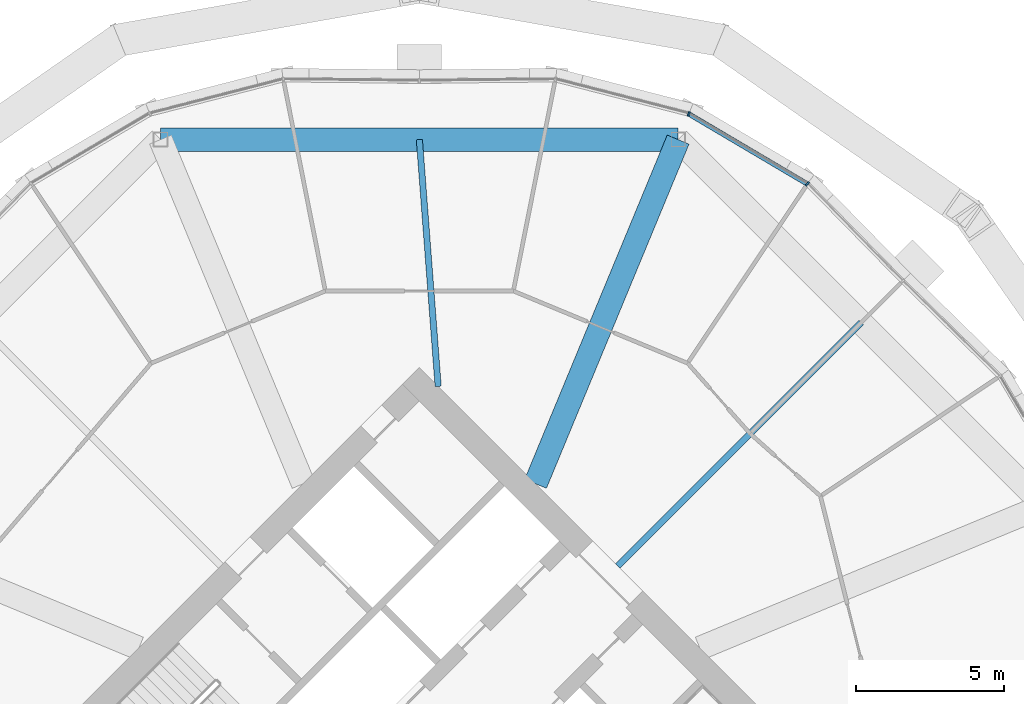
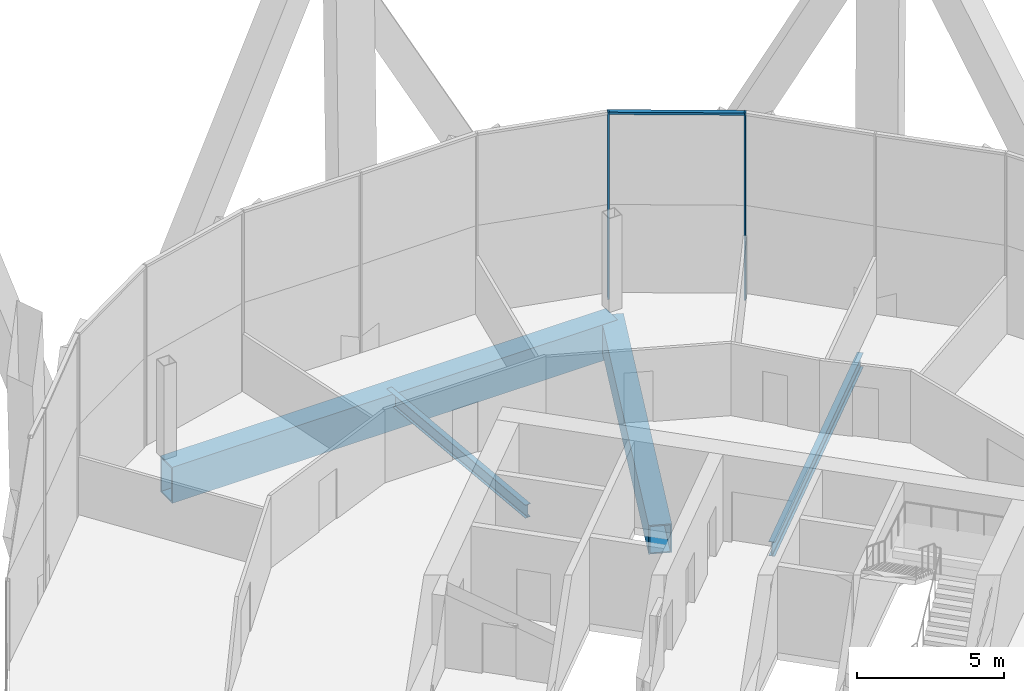
# One storey, part 15 of 31: 4 beams, 3 members, 1 element without a shape of its own.
"""IFC4 building model written with IfcOpenShell, lengths in metres."""

from ifc_helpers import new_model, si_unit, direction, frame, origin, origin_2d, place, context, subcontext, project, spatial, rectangle, hollow_rectangle, i_section, extrude, material, material_profile, profile_set, type_object, element, aggregate, save


model = new_model("IFC4")

# Units and contexts
model_context = context("Model", 3, precision=1e-05, world=origin(), true_north=direction((0.0, 1.0)))
body_context = subcontext(model_context, "Body", "Model", "MODEL_VIEW")
ifc_project = project(units=[si_unit("LENGTHUNIT", "METRE"), si_unit("AREAUNIT", "SQUARE_METRE"), si_unit("VOLUMEUNIT", "CUBIC_METRE"), si_unit("PLANEANGLEUNIT", "RADIAN"), si_unit("MASSUNIT", "GRAM", prefix="KILO")], contexts=[model_context])

# Site, building, storey
site_placement = place(None, origin())
site = spatial("IfcSite", under=ifc_project, at=site_placement, CompositionType="ELEMENT")
building_placement = place(site_placement, origin())
building = spatial("IfcBuilding", under=site, at=building_placement, Name="Ogive Gate Towers", CompositionType="ELEMENT")
storey_placement = place(building_placement, frame((0.0, 0.0, 55.800048828125)))
storey = spatial("IfcBuildingStorey", under=building, at=storey_placement, Name="L12", CompositionType="ELEMENT", Elevation=55.800048828125)

# Beams
ifc_material_1 = material(Name="Steel SM460", Category="steel")
ifc_material_profile_1 = material_profile(ifc_material_1, hollow_rectangle(XDim=0.800048828125, YDim=1.5, WallThickness=0.06005859375, at=origin_2d()), Name="BX 1500x800x60")
ifc_profile_set_1 = profile_set([ifc_material_profile_1], Name="Steel SM460")
beam_type_1 = type_object("IfcBeamType", Name="Edge girder BX 1500x800x60", PredefinedType="BEAM", material=ifc_profile_set_1)
beam_1_placement = place(storey_placement, frame((44.763427734375, 21.15673828125, -1.050048828125), z_axis=(-1.0, 0.0, 0.0), x_axis=(0.0, -1.0, 0.0)))
element("IfcBeam", 1, at=beam_1_placement, inside=storey, type_object=beam_type_1, Name="T2/L12/SBM022", PredefinedType="BEAM", context=body_context, shape_type="SweptSolid", body=[
    extrude(hollow_rectangle(XDim=0.800048828125, YDim=1.5, WallThickness=0.06005859375, at=origin_2d()), origin(), (0.0, 0.0, 1.0), 17.52685546875),
])
ifc_material_2 = material(Name="Steel SM355", Category="steel")
ifc_material_profile_2 = material_profile(ifc_material_2, i_section(OverallWidth=0.2099609375, OverallDepth=0.550048828125, WebThickness=0.010986328125, FlangeThickness=0.01708984375, FilletRadius=0.02392578125, at=origin_2d()), Name="IPE 550")
ifc_profile_set_2 = profile_set([ifc_material_profile_2], Name="Steel SM355")
beam_type_2 = type_object("IfcBeamType", Name="Radial floor beam IPE 550", PredefinedType="BEAM", material=ifc_profile_set_2)
beam_2_placement = place(storey_placement, frame((36.636474609375, 12.798583984375, -0.574951171875), z_axis=(-0.075930303007, 0.997113127526, 0.0), x_axis=(-0.997113127526, -0.075930303007, 0.0)))
element("IfcBeam", 2, at=beam_2_placement, inside=storey, type_object=beam_type_2, Name="T2/L12/SBM012", PredefinedType="BEAM", context=body_context, shape_type="SweptSolid", body=[
    extrude(i_section(OverallWidth=0.2099609375, OverallDepth=0.550048828125, WebThickness=0.010986328125, FlangeThickness=0.01708984375, FilletRadius=0.02392578125, at=origin_2d()), origin(), (0.0, 0.0, 1.0), 8.38232421875),
])
ifc_material_profile_3 = material_profile(ifc_material_2, i_section(OverallWidth=0.219970703125, OverallDepth=0.60009765625, WebThickness=0.011962890625, FlangeThickness=0.01904296875, FilletRadius=0.02392578125, at=origin_2d()), Name="IPE 600")
ifc_profile_set_3 = profile_set([ifc_material_profile_3], Name="Steel SM355")
beam_type_3 = type_object("IfcBeamType", Name="Radial floor beam IPE 600", PredefinedType="BEAM", material=ifc_profile_set_3)
beam_3_placement = place(storey_placement, frame((42.717529296875, 6.717529296875, -0.60009765625), z_axis=(0.707106781187, 0.707106781187, 0.0), x_axis=(-0.707106781187, 0.707106781187, 0.0)))
element("IfcBeam", 3, at=beam_3_placement, inside=storey, type_object=beam_type_3, Name="T2/L12/SBM010", PredefinedType="BEAM", context=body_context, shape_type="SweptSolid", body=[
    extrude(i_section(OverallWidth=0.219970703125, OverallDepth=0.60009765625, WebThickness=0.011962890625, FlangeThickness=0.01904296875, FilletRadius=0.02392578125, at=origin_2d()), origin(), (0.0, 0.0, 1.0), 11.656982421875),
])

# Curtain wall, members
ifc_material_3 = material(Name="Pale metal aluminium", Category="aluminium")
curtain_wall_type = type_object("IfcCurtainWallType", Name="Tower unitised wall, low zone", PredefinedType="NOTDEFINED", material=ifc_material_3)
curtain_wall_placement = place(storey_placement, origin())
curtain_wall = element("IfcCurtainWall", 4, at=curtain_wall_placement, inside=storey, type_object=curtain_wall_type, Name="CW1 T2 ECW02", PredefinedType="NOTDEFINED")
ifc_material_profile_4 = material_profile(ifc_material_3, rectangle(XDim=0.159912109375, YDim=0.06005859375, at=origin_2d()), Name="60 x 160 aluminium box")
ifc_profile_set_4 = profile_set([ifc_material_profile_4], Name="Pale metal aluminium")
member_type_1 = type_object("IfcMemberType", Name="Tower unitised wall, low zone mullion 60 x 160", PredefinedType="MULLION", material=ifc_profile_set_4)
member_1_placement = place(storey_placement, frame((49.13916015625, 19.653076171875, -0.300048828125), z_axis=(0.0, 0.0, 1.0), x_axis=(0.616843572223, 0.787085768775, 0.0)))
member_1 = element("IfcMember", 5, at=member_1_placement, type_object=member_type_1, Name="CW1 mullion", PredefinedType="MULLION", context=body_context, shape_type="SweptSolid", body=[
    extrude(rectangle(XDim=0.159912109375, YDim=0.06005859375, at=origin_2d()), origin(), (0.0, 0.0, 1.0), 7.800048828125),
])
member_2_placement = place(storey_placement, frame((45.12353515625, 22.026123046875, -0.300048828125), z_axis=(0.0, 0.0, 1.0), x_axis=(0.382683432365, 0.923879532511, 0.0)))
member_2 = element("IfcMember", 6, at=member_2_placement, type_object=member_type_1, Name="CW1 mullion", PredefinedType="MULLION", context=body_context, shape_type="SweptSolid", body=[
    extrude(rectangle(XDim=0.159912109375, YDim=0.06005859375, at=origin_2d()), origin(), (0.0, 0.0, 1.0), 7.800048828125),
])
ifc_material_profile_5 = material_profile(ifc_material_3, rectangle(XDim=0.159912109375, YDim=0.10009765625, at=origin_2d()), Name="100 x 160 aluminium box")
ifc_profile_set_5 = profile_set([ifc_material_profile_5], Name="Pale metal aluminium")
member_type_2 = type_object("IfcMemberType", Name="Tower unitised wall, low zone transom 100 x 160", PredefinedType="USERDEFINED", material=ifc_profile_set_5)
member_3_placement = place(storey_placement, frame((49.115478515625, 19.666748046875, 7.449951171875), z_axis=(-0.860885405398, 0.508798898164, 0.0), x_axis=(-0.508798898164, -0.860885405398, 0.0)))
member_3 = element("IfcMember", 7, at=member_3_placement, type_object=member_type_2, Name="CW1 transom", ObjectType="TRANSOM", PredefinedType="USERDEFINED", context=body_context, shape_type="SweptSolid", body=[
    extrude(rectangle(XDim=0.159912109375, YDim=0.10009765625, at=origin_2d()), origin(), (0.0, 0.0, 1.0), 4.60986328125),
])
aggregate(curtain_wall, [member_1, member_2, member_3])

# Beam
ifc_material_profile_6 = material_profile(ifc_material_1, hollow_rectangle(XDim=0.800048828125, YDim=1.199951171875, WallThickness=0.050048828125, at=origin_2d()), Name="BX 1200x800x50")
ifc_profile_set_6 = profile_set([ifc_material_profile_6], Name="Steel SM460")
beam_type_4 = type_object("IfcBeamType", Name="Transfer radial beam BX 1200x800x50", PredefinedType="BEAM", material=ifc_profile_set_6)
beam_4_placement = place(storey_placement, frame((39.93505859375, 9.5, -0.900146484375), z_axis=(0.382682759347, 0.923879811284, 0.0), x_axis=(-0.923879811284, 0.382682759347, 0.0)))
element("IfcBeam", 8, at=beam_4_placement, inside=storey, type_object=beam_type_4, Name="T2/L12/SBM011", PredefinedType="BEAM", context=body_context, shape_type="SweptSolid", body=[
    extrude(hollow_rectangle(XDim=0.800048828125, YDim=1.199951171875, WallThickness=0.050048828125, at=origin_2d()), origin(), (0.0, 0.0, 1.0), 12.6171875),
])

save(model, "model.ifc")
